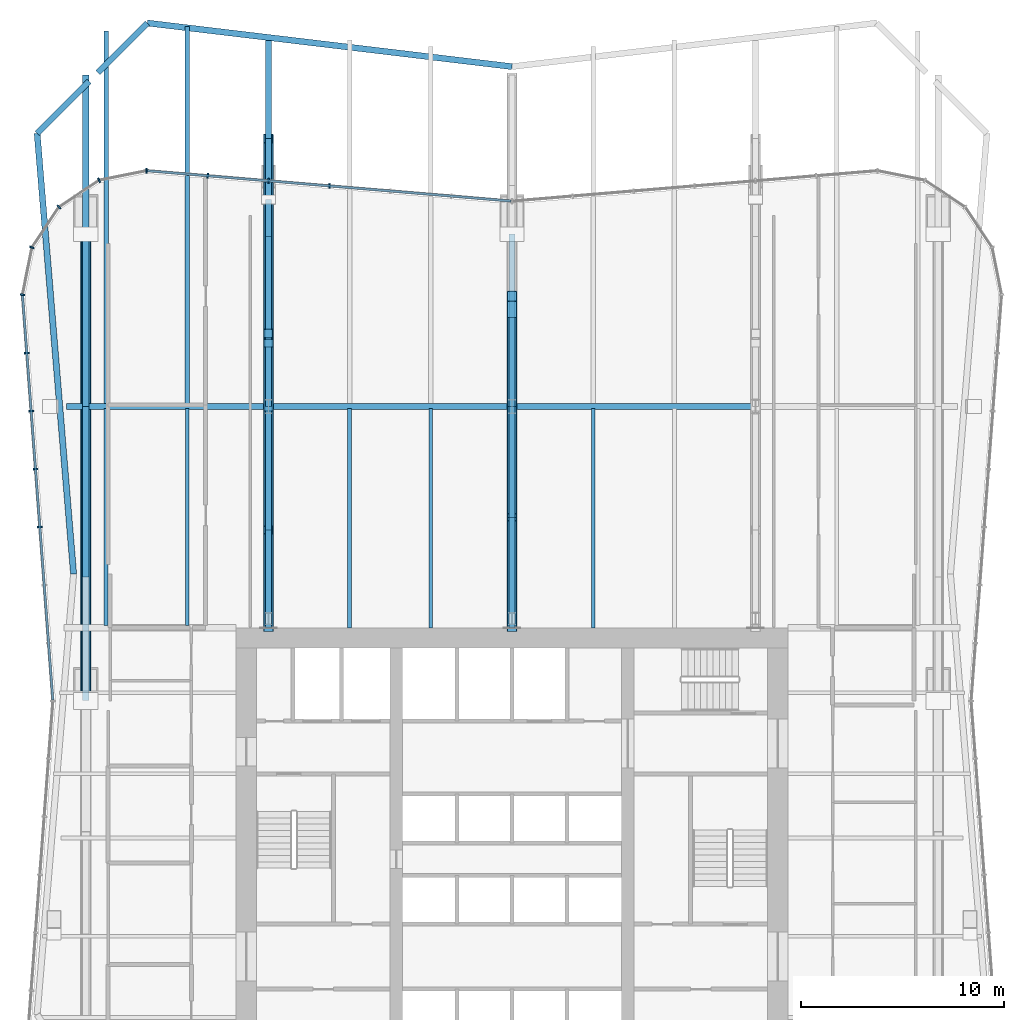
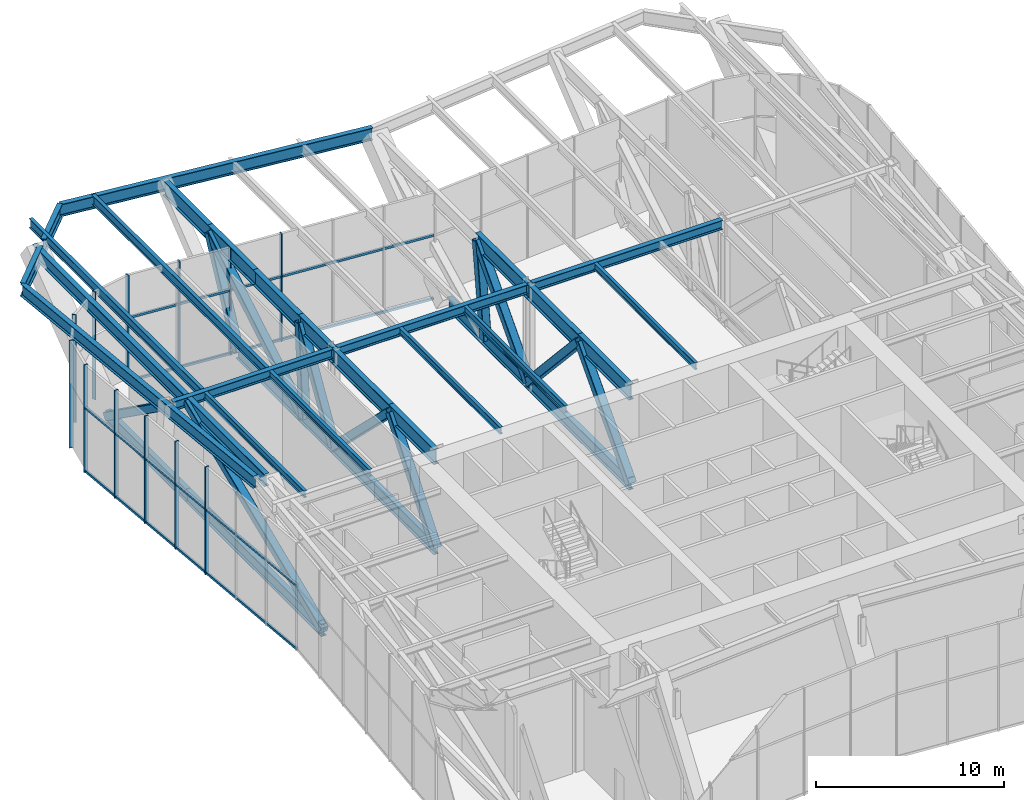
# One storey, part 6 of 16: 43 members, 14 beams, 3 elements without a shape of their own.
"""IFC4 building model written with IfcOpenShell, lengths in metres."""

from ifc_helpers import new_model, si_unit, direction, frame, origin, origin_2d, place, context, subcontext, project, spatial, rectangle, hollow_rectangle, i_section, extrude, material, material_profile, profile_set, type_object, element, aggregate, save


model = new_model("IFC4")

# Units and contexts
model_context = context("Model", 3, precision=1e-05, world=origin(), true_north=direction((0.0, 1.0)))
body_context = subcontext(model_context, "Body", "Model", "MODEL_VIEW")
ifc_project = project(units=[si_unit("LENGTHUNIT", "METRE"), si_unit("AREAUNIT", "SQUARE_METRE"), si_unit("VOLUMEUNIT", "CUBIC_METRE"), si_unit("PLANEANGLEUNIT", "RADIAN"), si_unit("MASSUNIT", "GRAM", prefix="KILO")], contexts=[model_context])

# Site, building, storey
site_placement = place(None, origin())
site = spatial("IfcSite", under=ifc_project, at=site_placement, CompositionType="ELEMENT")
building_placement = place(site_placement, origin())
building = spatial("IfcBuilding", under=site, at=building_placement, Name="Verdant Reach Tower", CompositionType="ELEMENT")
storey_placement = place(building_placement, frame((0.0, 0.0, 170.0)))
storey = spatial("IfcBuildingStorey", under=building, at=storey_placement, Name="L39 Plant", CompositionType="ELEMENT", Elevation=170.0)

# Curtain wall, members
ifc_material_1 = material(Name="Anodised aluminium", Category="aluminium")
curtain_wall_type = type_object("IfcCurtainWallType", Name="EN-CW SYSTEM PLANT", PredefinedType="NOTDEFINED", material=ifc_material_1)
curtain_wall_1_placement = place(storey_placement, origin())
curtain_wall_1 = element("IfcCurtainWall", 1, at=curtain_wall_1_placement, inside=storey, type_object=curtain_wall_type, Name="Curtain wall north, L39", PredefinedType="NOTDEFINED")
ifc_material_profile_1 = material_profile(ifc_material_1, rectangle(XDim=0.238037109375, YDim=0.080078125, at=origin_2d()), Name="Mullion 80x240")
ifc_profile_set_1 = profile_set([ifc_material_profile_1], Name="Anodised aluminium")
member_type_1 = type_object("IfcMemberType", Name="EN-MULLION PLANT", PredefinedType="MULLION", material=ifc_profile_set_1)
member_1_placement = place(storey_placement, frame((-8.990234375, 60.36865234375, -0.35009765625), z_axis=(0.0, 0.0, 1.0), x_axis=(0.083045479859, 0.996545758244, 0.0)))
member_1 = element("IfcMember", 2, at=member_1_placement, type_object=member_type_1, Name="Mullion north face part 2 4, L39", PredefinedType="MULLION", context=body_context, shape_type="SweptSolid", body=[
    extrude(rectangle(XDim=0.238037109375, YDim=0.080078125, at=origin_2d()), origin(), (0.0, 0.0, 1.0), 7.0),
])
member_2_placement = place(storey_placement, frame((-11.990234375, 60.61865234375, -0.35009765625), z_axis=(0.0, 0.0, 1.0), x_axis=(0.083045479859, 0.996545758244, 0.0)))
member_2 = element("IfcMember", 3, at=member_2_placement, type_object=member_type_1, Name="Mullion north face part 2 5, L39", PredefinedType="MULLION", context=body_context, shape_type="SweptSolid", body=[
    extrude(rectangle(XDim=0.238037109375, YDim=0.080078125, at=origin_2d()), origin(), (0.0, 0.0, 1.0), 7.0),
])
member_3_placement = place(storey_placement, frame((-14.990234375, 60.86865234375, -0.35009765625), z_axis=(0.0, 0.0, 1.0), x_axis=(0.083045479859, 0.996545758244, 0.0)))
member_3 = element("IfcMember", 4, at=member_3_placement, type_object=member_type_1, Name="Mullion north face part 2 6, L39", PredefinedType="MULLION", context=body_context, shape_type="SweptSolid", body=[
    extrude(rectangle(XDim=0.238037109375, YDim=0.080078125, at=origin_2d()), origin(), (0.0, 0.0, 1.0), 7.0),
])

curtain_wall_2_placement = place(storey_placement, origin())
curtain_wall_2 = element("IfcCurtainWall", 5, at=curtain_wall_2_placement, inside=storey, type_object=curtain_wall_type, Name="Curtain wall north-west corner, L39", PredefinedType="NOTDEFINED")
member_4_placement = place(storey_placement, frame((-18.0068359375, 61.118896484375, -0.35009765625), z_axis=(0.0, 0.0, 1.0), x_axis=(-0.056569187765, 0.998398681387, 0.0)))
member_4 = element("IfcMember", 6, at=member_4_placement, type_object=member_type_1, Name="Mullion north-west corner 1, L39", PredefinedType="MULLION", context=body_context, shape_type="SweptSolid", body=[
    extrude(rectangle(XDim=0.238037109375, YDim=0.080078125, at=origin_2d()), origin(), (0.0, 0.0, 1.0), 7.0),
])
member_5_placement = place(storey_placement, frame((-20.341552734375, 60.6533203125, -0.35009765625), z_axis=(0.0, 0.0, 1.0), x_axis=(-0.382693853776, 0.923875215753, 0.0)))
member_5 = element("IfcMember", 7, at=member_5_placement, type_object=member_type_1, Name="Mullion north-west corner 2, L39", PredefinedType="MULLION", context=body_context, shape_type="SweptSolid", body=[
    extrude(rectangle(XDim=0.238037109375, YDim=0.080078125, at=origin_2d()), origin(), (0.0, 0.0, 1.0), 7.0),
])
member_6_placement = place(storey_placement, frame((-22.32666015625, 59.32666015625, -0.35009765625), z_axis=(0.0, 0.0, 1.0), x_axis=(-0.707106781187, 0.707106781187, 0.0)))
member_6 = element("IfcMember", 8, at=member_6_placement, type_object=member_type_1, Name="Mullion north-west corner 3, L39", PredefinedType="MULLION", context=body_context, shape_type="SweptSolid", body=[
    extrude(rectangle(XDim=0.238037109375, YDim=0.080078125, at=origin_2d()), origin(), (0.0, 0.0, 1.0), 7.0),
])
member_7_placement = place(storey_placement, frame((-23.6533203125, 57.341552734375, -0.35009765625), z_axis=(0.0, 0.0, 1.0), x_axis=(-0.923875215753, 0.382693853776, 0.0)))
member_7 = element("IfcMember", 9, at=member_7_placement, type_object=member_type_1, Name="Mullion north-west corner 4, L39", PredefinedType="MULLION", context=body_context, shape_type="SweptSolid", body=[
    extrude(rectangle(XDim=0.238037109375, YDim=0.080078125, at=origin_2d()), origin(), (0.0, 0.0, 1.0), 7.0),
])
aggregate(curtain_wall_2, [member_4, member_5, member_6, member_7])

curtain_wall_3_placement = place(storey_placement, origin())
curtain_wall_3 = element("IfcCurtainWall", 10, at=curtain_wall_3_placement, inside=storey, type_object=curtain_wall_type, Name="Curtain wall west, L39", PredefinedType="NOTDEFINED")
member_8_placement = place(storey_placement, frame((-24.118896484375, 55.00732421875, -0.35009765625), z_axis=(0.0, 0.0, 1.0), x_axis=(-0.998155887542, 0.060702752526, 0.0)))
member_8 = element("IfcMember", 11, at=member_8_placement, type_object=member_type_1, Name="Mullion west face part 1 1, L39", PredefinedType="MULLION", context=body_context, shape_type="SweptSolid", body=[
    extrude(rectangle(XDim=0.238037109375, YDim=0.080078125, at=origin_2d()), origin(), (0.0, 0.0, 1.0), 7.0),
])
member_9_placement = place(storey_placement, frame((-23.904296875, 52.134033203125, -0.35009765625), z_axis=(0.0, 0.0, 1.0), x_axis=(-0.997199309888, -0.074789948245, 0.0)))
member_9 = element("IfcMember", 12, at=member_9_placement, type_object=member_type_1, Name="Mullion west face part 1 2, L39", PredefinedType="MULLION", context=body_context, shape_type="SweptSolid", body=[
    extrude(rectangle(XDim=0.238037109375, YDim=0.080078125, at=origin_2d()), origin(), (0.0, 0.0, 1.0), 7.0),
])
member_10_placement = place(storey_placement, frame((-23.690185546875, 49.27685546875, -0.35009765625), z_axis=(0.0, 0.0, 1.0), x_axis=(-0.997199309888, -0.074789948245, 0.0)))
member_10 = element("IfcMember", 13, at=member_10_placement, type_object=member_type_1, Name="Mullion west face part 1 3, L39", PredefinedType="MULLION", context=body_context, shape_type="SweptSolid", body=[
    extrude(rectangle(XDim=0.238037109375, YDim=0.080078125, at=origin_2d()), origin(), (0.0, 0.0, 1.0), 7.0),
])
member_11_placement = place(storey_placement, frame((-23.475830078125, 46.419677734375, -0.35009765625), z_axis=(0.0, 0.0, 1.0), x_axis=(-0.997199309888, -0.074789948245, 0.0)))
member_11 = element("IfcMember", 14, at=member_11_placement, type_object=member_type_1, Name="Mullion west face part 1 4, L39", PredefinedType="MULLION", context=body_context, shape_type="SweptSolid", body=[
    extrude(rectangle(XDim=0.238037109375, YDim=0.080078125, at=origin_2d()), origin(), (0.0, 0.0, 1.0), 7.0),
])
member_12_placement = place(storey_placement, frame((-23.261474609375, 43.5625, -0.35009765625), z_axis=(0.0, 0.0, 1.0), x_axis=(-0.997199309888, -0.074789948245, 0.0)))
member_12 = element("IfcMember", 15, at=member_12_placement, type_object=member_type_1, Name="Mullion west face part 1 5, L39", PredefinedType="MULLION", context=body_context, shape_type="SweptSolid", body=[
    extrude(rectangle(XDim=0.238037109375, YDim=0.080078125, at=origin_2d()), origin(), (0.0, 0.0, 1.0), 7.0),
])

# Member
ifc_material_profile_2 = material_profile(ifc_material_1, rectangle(XDim=0.1201171875, YDim=0.14990234375, at=origin_2d()), Name="Transom 150x120")
ifc_profile_set_2 = profile_set([ifc_material_profile_2], Name="Anodised aluminium")
member_type_2 = type_object("IfcMemberType", Name="EN-TRANSOM PLANT", PredefinedType="USERDEFINED", material=ifc_profile_set_2)
member_13_placement = place(storey_placement, frame((-0.039794921875, 59.622314453125, -0.27490234375), z_axis=(-0.996549220477, 0.083003922598, 0.0), x_axis=(-0.083003922598, -0.996549220477, 0.0)))
member_13 = element("IfcMember", 16, at=member_13_placement, type_object=member_type_2, Name="Transom north face part 2 1.1, L39", ObjectType="TRANSOM", PredefinedType="USERDEFINED", context=body_context, shape_type="SweptSolid", body=[
    extrude(rectangle(XDim=0.1201171875, YDim=0.14990234375, at=origin_2d()), origin(), (0.0, 0.0, 1.0), 17.989013671875),
])

member_14_placement = place(storey_placement, frame((-0.039794921875, 59.622314453125, 3.85009765625), z_axis=(-0.996549220477, 0.083003922598, 0.0), x_axis=(-0.083003922598, -0.996549220477, 0.0)))
member_14 = element("IfcMember", 17, at=member_14_placement, type_object=member_type_2, Name="Transom north face part 2 1.2, L39", ObjectType="TRANSOM", PredefinedType="USERDEFINED", context=body_context, shape_type="SweptSolid", body=[
    extrude(rectangle(XDim=0.1201171875, YDim=0.14990234375, at=origin_2d()), origin(), (0.0, 0.0, 1.0), 17.989013671875),
])

aggregate(curtain_wall_1, [member_1, member_2, member_3, member_13, member_14])

member_15_placement = place(storey_placement, frame((-24.11572265625, 54.96728515625, -0.27490234375), z_axis=(0.074744693734, -0.997202702944, 0.0), x_axis=(0.997202702944, 0.074744693734, 0.0)))
member_15 = element("IfcMember", 18, at=member_15_placement, type_object=member_type_2, Name="Transom west face part 1 1.1, L39", ObjectType="TRANSOM", PredefinedType="USERDEFINED", context=body_context, shape_type="SweptSolid", body=[
    extrude(rectangle(XDim=0.1201171875, YDim=0.14990234375, at=origin_2d()), origin(), (0.0, 0.0, 1.0), 19.9833984375),
])

member_16_placement = place(storey_placement, frame((-24.11572265625, 54.96728515625, 3.85009765625), z_axis=(0.074744693734, -0.997202702944, 0.0), x_axis=(0.997202702944, 0.074744693734, 0.0)))
member_16 = element("IfcMember", 19, at=member_16_placement, type_object=member_type_2, Name="Transom west face part 1 1.2, L39", ObjectType="TRANSOM", PredefinedType="USERDEFINED", context=body_context, shape_type="SweptSolid", body=[
    extrude(rectangle(XDim=0.1201171875, YDim=0.14990234375, at=origin_2d()), origin(), (0.0, 0.0, 1.0), 19.9833984375),
])

aggregate(curtain_wall_3, [member_8, member_9, member_10, member_11, member_12, member_15, member_16])

# Beams
ifc_material_2 = material(Name="Steel S355", Category="steel")
ifc_material_profile_3 = material_profile(ifc_material_2, i_section(OverallWidth=0.300048828125, OverallDepth=0.60009765625, WebThickness=0.015380859375, FlangeThickness=0.030029296875, FilletRadius=0.027099609375, at=origin_2d()), Name="HEB 600")
ifc_profile_set_3 = profile_set([ifc_material_profile_3], Name="Steel S355")
beam_type_1 = type_object("IfcBeamType", Name="ST-BEAM-HEB600", PredefinedType="BEAM", material=ifc_profile_set_3)
beam_1_placement = place(storey_placement, frame((-21.958984375, 49.5, 6.570068359375), z_axis=(1.0, 0.0, 0.0), x_axis=(0.0, 1.0, 0.0)))
element("IfcBeam", 20, at=beam_1_placement, inside=storey, type_object=beam_type_1, Name="Row girder, L39 Plant", PredefinedType="BEAM", context=body_context, shape_type="SweptSolid", body=[
    extrude(i_section(OverallWidth=0.300048828125, OverallDepth=0.60009765625, WebThickness=0.015380859375, FlangeThickness=0.030029296875, FilletRadius=0.027099609375, at=origin_2d()), origin(), (0.0, 0.0, 1.0), 9.804931640625),
])
for number, where, z_axis, x_axis, name in (
    (21, (-11.845947265625, 49.5, 6.570068359375), (1.0, 0.0, 0.0), (0.0, 1.0, 0.0), "Row girder, L39 Plant"),
    (22, (0.154052734375, 49.5, 6.570068359375), (1.0, 0.0, 0.0), (0.0, 1.0, 0.0), "Row girder, L39 Plant"),
):
    element("IfcBeam", number, at=place(storey_placement, frame(where, z_axis=z_axis, x_axis=x_axis)), inside=storey, type_object=beam_type_1, Name=name, PredefinedType="BEAM", context=body_context, shape_type="SweptSolid", body=[
        extrude(i_section(OverallWidth=0.300048828125, OverallDepth=0.60009765625, WebThickness=0.015380859375, FlangeThickness=0.030029296875, FilletRadius=0.027099609375, at=origin_2d()), origin(), (0.0, 0.0, 1.0), 11.69189453125),
    ])
ifc_material_profile_4 = material_profile(ifc_material_2, i_section(OverallWidth=0.18994140625, OverallDepth=0.449951171875, WebThickness=0.009521484375, FlangeThickness=0.0146484375, FilletRadius=0.02099609375, at=origin_2d()), Name="IPE 450")
ifc_profile_set_4 = profile_set([ifc_material_profile_4], Name="Steel S355")
beam_type_2 = type_object("IfcBeamType", Name="ST-JOIST-IPE450", PredefinedType="JOIST", material=ifc_profile_set_4)
for number, where, z_axis, x_axis, name in (
    (23, (-20.0, 38.699951171875, 6.64501953125), (0.0, 1.0, 0.0), (-1.0, 0.0, 0.0), "Floor joist, L39 Plant"),
    (24, (-16.0, 38.699951171875, 6.64501953125), (0.0, 1.0, 0.0), (-1.0, 0.0, 0.0), "Floor joist, L39 Plant"),
):
    element("IfcBeam", number, at=place(storey_placement, frame(where, z_axis=z_axis, x_axis=x_axis)), inside=storey, type_object=beam_type_2, Name=name, PredefinedType="JOIST", context=body_context, shape_type="SweptSolid", body=[
        extrude(i_section(OverallWidth=0.18994140625, OverallDepth=0.449951171875, WebThickness=0.009521484375, FlangeThickness=0.0146484375, FilletRadius=0.02099609375, at=origin_2d()), origin(), (0.0, 0.0, 1.0), 10.699951171875),
    ])
for number, where, z_axis, x_axis, name in (
    (25, (-8.0, 38.60009765625, 6.64501953125), (0.0, 1.0, 0.0), (-1.0, 0.0, 0.0), "Floor joist, L39 Plant"),
    (26, (-4.0, 38.60009765625, 6.64501953125), (0.0, 1.0, 0.0), (-1.0, 0.0, 0.0), "Floor joist, L39 Plant"),
    (27, (4.0, 38.60009765625, 6.64501953125), (0.0, 1.0, 0.0), (-1.0, 0.0, 0.0), "Floor joist, L39 Plant"),
):
    element("IfcBeam", number, at=place(storey_placement, frame(where, z_axis=z_axis, x_axis=x_axis)), inside=storey, type_object=beam_type_2, Name=name, PredefinedType="JOIST", context=body_context, shape_type="SweptSolid", body=[
        extrude(i_section(OverallWidth=0.18994140625, OverallDepth=0.449951171875, WebThickness=0.009521484375, FlangeThickness=0.0146484375, FilletRadius=0.02099609375, at=origin_2d()), origin(), (0.0, 0.0, 1.0), 10.7998046875),
    ])
ifc_material_profile_5 = material_profile(ifc_material_2, i_section(OverallWidth=0.219970703125, OverallDepth=0.60009765625, WebThickness=0.011962890625, FlangeThickness=0.01904296875, FilletRadius=0.02392578125, at=origin_2d()), Name="IPE 600")
ifc_profile_set_5 = profile_set([ifc_material_profile_5], Name="Steel S355")
beam_type_3 = type_object("IfcBeamType", Name="ST-JOIST-IPE600", PredefinedType="JOIST", material=ifc_profile_set_5)
beam_2_placement = place(storey_placement, frame((-20.0, 49.60009765625, 6.570068359375), z_axis=(0.0, 1.0, 0.0), x_axis=(-1.0, 0.0, 0.0)))
element("IfcBeam", 28, at=beam_2_placement, inside=storey, type_object=beam_type_3, Name="Floor joist, L39 Plant", PredefinedType="JOIST", context=body_context, shape_type="SweptSolid", body=[
    extrude(i_section(OverallWidth=0.219970703125, OverallDepth=0.60009765625, WebThickness=0.011962890625, FlangeThickness=0.01904296875, FilletRadius=0.02392578125, at=origin_2d()), origin(), (0.0, 0.0, 1.0), 18.390380859375),
])
beam_3_placement = place(storey_placement, frame((-16.0, 49.60009765625, 6.570068359375), z_axis=(0.0, 1.0, 0.0), x_axis=(-1.0, 0.0, 0.0)))
element("IfcBeam", 29, at=beam_3_placement, inside=storey, type_object=beam_type_3, Name="Floor joist, L39 Plant", PredefinedType="JOIST", context=body_context, shape_type="SweptSolid", body=[
    extrude(i_section(OverallWidth=0.219970703125, OverallDepth=0.60009765625, WebThickness=0.011962890625, FlangeThickness=0.01904296875, FilletRadius=0.02392578125, at=origin_2d()), origin(), (0.0, 0.0, 1.0), 18.631103515625),
])
ifc_material_profile_6 = material_profile(ifc_material_2, i_section(OverallWidth=0.300048828125, OverallDepth=0.800048828125, WebThickness=0.017578125, FlangeThickness=0.032958984375, FilletRadius=0.030029296875, at=origin_2d()), Name="HEB 800")
ifc_profile_set_6 = profile_set([ifc_material_profile_6], Name="Steel S355")
beam_type_4 = type_object("IfcBeamType", Name="ST-SPANDREL-HEB800", PredefinedType="SPANDREL", material=ifc_profile_set_6)
beam_4_placement = place(storey_placement, frame((-21.60009765625, 41.25, 6.469970703125), z_axis=(-0.082435210935, 0.99659642584, 0.0), x_axis=(-0.99659642584, -0.082435210935, 0.0)))
element("IfcBeam", 30, at=beam_4_placement, inside=storey, type_object=beam_type_4, Name="Edge beam, L39 Plant", PredefinedType="SPANDREL", context=body_context, shape_type="SweptSolid", body=[
    extrude(i_section(OverallWidth=0.300048828125, OverallDepth=0.800048828125, WebThickness=0.017578125, FlangeThickness=0.032958984375, FilletRadius=0.030029296875, at=origin_2d()), origin(), (0.0, 0.0, 1.0), 21.78564453125),
])
beam_5_placement = place(storey_placement, frame((-17.9658203125, 68.39501953125, 6.469970703125), z_axis=(0.992923943618, -0.118752019729, 0.0), x_axis=(0.118752019729, 0.992923943618, 0.0)))
element("IfcBeam", 31, at=beam_5_placement, inside=storey, type_object=beam_type_4, Name="Edge beam, L39 Plant", PredefinedType="SPANDREL", context=body_context, shape_type="SweptSolid", body=[
    extrude(i_section(OverallWidth=0.300048828125, OverallDepth=0.800048828125, WebThickness=0.017578125, FlangeThickness=0.032958984375, FilletRadius=0.030029296875, at=origin_2d()), origin(), (0.0, 0.0, 1.0), 18.09375),
])
ifc_material_profile_7 = material_profile(ifc_material_2, i_section(OverallWidth=0.302001953125, OverallDepth=0.909912109375, WebThickness=0.02099609375, FlangeThickness=0.0400390625, FilletRadius=0.030029296875, at=origin_2d()), Name="HEM 900")
ifc_profile_set_7 = profile_set([ifc_material_profile_7], Name="Steel S355")
beam_type_5 = type_object("IfcBeamType", Name="ST-SPANDREL-HEM900", PredefinedType="SPANDREL", material=ifc_profile_set_7)
beam_6_placement = place(storey_placement, frame((-23.39599609375, 62.96142578125, 6.4150390625), z_axis=(0.706904702576, 0.707308802063, 0.0), x_axis=(-0.707308802063, 0.706904702576, 0.0)))
element("IfcBeam", 32, at=beam_6_placement, inside=storey, type_object=beam_type_5, Name="Edge beam, L39 Plant", PredefinedType="SPANDREL", context=body_context, shape_type="SweptSolid", body=[
    extrude(i_section(OverallWidth=0.302001953125, OverallDepth=0.909912109375, WebThickness=0.02099609375, FlangeThickness=0.0400390625, FilletRadius=0.030029296875, at=origin_2d()), origin(), (0.0, 0.0, 1.0), 3.625),
])
beam_7_placement = place(storey_placement, frame((-20.39990234375, 65.959228515625, 6.4150390625), z_axis=(0.706858592704, 0.707354882588, 0.0), x_axis=(-0.707354882588, 0.706858592704, 0.0)))
element("IfcBeam", 33, at=beam_7_placement, inside=storey, type_object=beam_type_5, Name="Edge beam, L39 Plant", PredefinedType="SPANDREL", context=body_context, shape_type="SweptSolid", body=[
    extrude(i_section(OverallWidth=0.302001953125, OverallDepth=0.909912109375, WebThickness=0.02099609375, FlangeThickness=0.0400390625, FilletRadius=0.030029296875, at=origin_2d()), origin(), (0.0, 0.0, 1.0), 3.443603515625),
])

# Members
ifc_material_3 = material(Name="Steel S460", Category="steel")
ifc_material_profile_8 = material_profile(ifc_material_3, hollow_rectangle(XDim=0.5, YDim=0.5, WallThickness=0.02490234375, InnerFilletRadius=0.02490234375, OuterFilletRadius=0.050048828125, at=origin_2d()), Name="RHS 500x500x25")
ifc_profile_set_8 = profile_set([ifc_material_profile_8], Name="Steel S460")
member_type_3 = type_object("IfcMemberType", Name="ST-TRUSS-BRACE-RHS500x500x25", PredefinedType="BRACE", material=ifc_profile_set_8)
member_17_placement = place(storey_placement, frame((-12.0, 38.60009765625, 0.406982421875), z_axis=(0.0, 0.628912291492, 0.777476256622), x_axis=(-1.0, 0.0, 0.0)))
element("IfcMember", 34, at=member_17_placement, inside=storey, type_object=member_type_3, Name="Outrigger truss C north, diagonal, L39 Plant", PredefinedType="BRACE", context=body_context, shape_type="SweptSolid", body=[
    extrude(hollow_rectangle(XDim=0.5, YDim=0.5, WallThickness=0.02490234375, InnerFilletRadius=0.02490234375, OuterFilletRadius=0.050048828125, at=origin_2d()), origin(), (0.0, 0.0, 1.0), 7.66455078125),
])
member_18_placement = place(storey_placement, frame((-12.0, 43.42041015625, 6.365966796875), z_axis=(0.0, 0.714154917711, -0.699987680969), x_axis=(-1.0, 0.0, 0.0)))
element("IfcMember", 35, at=member_18_placement, inside=storey, type_object=member_type_3, Name="Outrigger truss C north, diagonal, L39 Plant", PredefinedType="BRACE", context=body_context, shape_type="SweptSolid", body=[
    extrude(hollow_rectangle(XDim=0.5, YDim=0.5, WallThickness=0.02490234375, InnerFilletRadius=0.02490234375, OuterFilletRadius=0.050048828125, at=origin_2d()), origin(), (0.0, 0.0, 1.0), 8.512939453125),
])
member_19_placement = place(storey_placement, frame((-12.0, 49.5, 0.406982421875), z_axis=(0.0, 0.513026232541, 0.8583729287), x_axis=(-1.0, 0.0, 0.0)))
element("IfcMember", 36, at=member_19_placement, inside=storey, type_object=member_type_3, Name="Outrigger truss C north, diagonal, L39 Plant", PredefinedType="BRACE", context=body_context, shape_type="SweptSolid", body=[
    extrude(hollow_rectangle(XDim=0.5, YDim=0.5, WallThickness=0.02490234375, InnerFilletRadius=0.02490234375, OuterFilletRadius=0.050048828125, at=origin_2d()), origin(), (0.0, 0.0, 1.0), 6.942138671875),
])
member_20_placement = place(storey_placement, frame((-12.0, 53.0615234375, 6.365966796875), z_axis=(0.0, -0.065126927319, -0.997876988079), x_axis=(1.0, 0.0, 0.0)))
element("IfcMember", 37, at=member_20_placement, inside=storey, type_object=member_type_3, Name="Outrigger truss C north, diagonal, L39 Plant", PredefinedType="BRACE", context=body_context, shape_type="SweptSolid", body=[
    extrude(hollow_rectangle(XDim=0.5, YDim=0.5, WallThickness=0.02490234375, InnerFilletRadius=0.02490234375, OuterFilletRadius=0.050048828125, at=origin_2d()), origin(), (0.0, 0.0, 1.0), 5.9716796875),
])
member_21_placement = place(storey_placement, frame((-12.0, 52.672607421875, 0.406982421875), z_axis=(0.0, 0.859717203118, 0.510770330641), x_axis=(-1.0, 0.0, 0.0)))
element("IfcMember", 38, at=member_21_placement, inside=storey, type_object=member_type_3, Name="Outrigger truss C north, diagonal, L39 Plant", PredefinedType="BRACE", context=body_context, shape_type="SweptSolid", body=[
    extrude(hollow_rectangle(XDim=0.5, YDim=0.5, WallThickness=0.02490234375, InnerFilletRadius=0.02490234375, OuterFilletRadius=0.050048828125, at=origin_2d()), origin(), (0.0, 0.0, 1.0), 11.666748046875),
])
member_22_placement = place(storey_placement, frame((-12.0, 62.70263671875, 6.365966796875), z_axis=(0.0, -0.44891149171, -0.893576226525), x_axis=(1.0, 0.0, 0.0)))
element("IfcMember", 39, at=member_22_placement, inside=storey, type_object=member_type_3, Name="Outrigger truss C north, diagonal, L39 Plant", PredefinedType="BRACE", context=body_context, shape_type="SweptSolid", body=[
    extrude(hollow_rectangle(XDim=0.5, YDim=0.5, WallThickness=0.02490234375, InnerFilletRadius=0.02490234375, OuterFilletRadius=0.050048828125, at=origin_2d()), origin(), (0.0, 0.0, 1.0), 6.668701171875),
])
member_23_placement = place(storey_placement, frame((0.0, 38.60009765625, 0.406982421875), z_axis=(0.0, 0.674523923408, 0.738252989666), x_axis=(-1.0, 0.0, 0.0)))
element("IfcMember", 40, at=member_23_placement, inside=storey, type_object=member_type_3, Name="Outrigger truss D north, diagonal, L39 Plant", PredefinedType="BRACE", context=body_context, shape_type="SweptSolid", body=[
    extrude(hollow_rectangle(XDim=0.5, YDim=0.5, WallThickness=0.02490234375, InnerFilletRadius=0.02490234375, OuterFilletRadius=0.050048828125, at=origin_2d()), origin(), (0.0, 0.0, 1.0), 8.07177734375),
])
member_24_placement = place(storey_placement, frame((0.0, 44.044677734375, 6.365966796875), z_axis=(0.0, 0.67524827836, -0.737590511444), x_axis=(-1.0, 0.0, 0.0)))
element("IfcMember", 41, at=member_24_placement, inside=storey, type_object=member_type_3, Name="Outrigger truss D north, diagonal, L39 Plant", PredefinedType="BRACE", context=body_context, shape_type="SweptSolid", body=[
    extrude(hollow_rectangle(XDim=0.5, YDim=0.5, WallThickness=0.02490234375, InnerFilletRadius=0.02490234375, OuterFilletRadius=0.050048828125, at=origin_2d()), origin(), (0.0, 0.0, 1.0), 8.0791015625),
])
member_25_placement = place(storey_placement, frame((0.0, 49.5, 0.406982421875), z_axis=(0.0, 0.673797615104, 0.738915945071), x_axis=(-1.0, 0.0, 0.0)))
element("IfcMember", 42, at=member_25_placement, inside=storey, type_object=member_type_3, Name="Outrigger truss D north, diagonal, L39 Plant", PredefinedType="BRACE", context=body_context, shape_type="SweptSolid", body=[
    extrude(hollow_rectangle(XDim=0.5, YDim=0.5, WallThickness=0.02490234375, InnerFilletRadius=0.02490234375, OuterFilletRadius=0.050048828125, at=origin_2d()), origin(), (0.0, 0.0, 1.0), 8.064453125),
])
member_26_placement = place(storey_placement, frame((0.0, 54.933837890625, 6.365966796875), z_axis=(0.0, -0.134142036588, -0.99096211533), x_axis=(1.0, 0.0, 0.0)))
element("IfcMember", 43, at=member_26_placement, inside=storey, type_object=member_type_3, Name="Outrigger truss D north, diagonal, L39 Plant", PredefinedType="BRACE", context=body_context, shape_type="SweptSolid", body=[
    extrude(hollow_rectangle(XDim=0.5, YDim=0.5, WallThickness=0.02490234375, InnerFilletRadius=0.02490234375, OuterFilletRadius=0.050048828125, at=origin_2d()), origin(), (0.0, 0.0, 1.0), 6.013427734375),
])
member_27_placement = place(storey_placement, frame((-21.0, 35.007080078125, 0.406982421875), z_axis=(0.0, 0.922687873286, 0.385547777182), x_axis=(-1.0, 0.0, 0.0)))
element("IfcMember", 44, at=member_27_placement, inside=storey, type_object=member_type_3, Name="Transfer truss B west, diagonal, L39 Plant", PredefinedType="BRACE", context=body_context, shape_type="SweptSolid", body=[
    extrude(hollow_rectangle(XDim=0.5, YDim=0.5, WallThickness=0.02490234375, InnerFilletRadius=0.02490234375, OuterFilletRadius=0.050048828125, at=origin_2d()), origin(), (0.0, 0.0, 1.0), 15.707275390625),
])
member_28_placement = place(storey_placement, frame((-21.0, 49.5, 6.462890625), z_axis=(0.0, 0.814727342615, -0.579844252534), x_axis=(-1.0, 0.0, 0.0)))
element("IfcMember", 45, at=member_28_placement, inside=storey, type_object=member_type_3, Name="Transfer truss B west, diagonal, L39 Plant", PredefinedType="BRACE", context=body_context, shape_type="SweptSolid", body=[
    extrude(hollow_rectangle(XDim=0.5, YDim=0.5, WallThickness=0.02490234375, InnerFilletRadius=0.02490234375, OuterFilletRadius=0.050048828125, at=origin_2d()), origin(), (0.0, 0.0, 1.0), 10.444091796875),
])
ifc_material_profile_9 = material_profile(ifc_material_3, i_section(OverallWidth=0.302001953125, OverallDepth=1.008056640625, WebThickness=0.02099609375, FlangeThickness=0.0400390625, FilletRadius=0.030029296875, at=origin_2d()), Name="HEM 1000")
ifc_profile_set_9 = profile_set([ifc_material_profile_9], Name="Steel S460")
member_type_4 = type_object("IfcMemberType", Name="ST-TRUSS-CHORD-HEM1000", PredefinedType="CHORD", material=ifc_profile_set_9)
member_29_placement = place(storey_placement, frame((-12.0, 38.60009765625, 6.365966796875), z_axis=(0.0, 1.0, 0.0), x_axis=(-1.0, 0.0, 0.0)))
element("IfcMember", 46, at=member_29_placement, inside=storey, type_object=member_type_4, Name="Outrigger truss C north, top chord, L39 Plant", PredefinedType="CHORD", context=body_context, shape_type="SweptSolid", body=[
    extrude(i_section(OverallWidth=0.302001953125, OverallDepth=1.008056640625, WebThickness=0.02099609375, FlangeThickness=0.0400390625, FilletRadius=0.030029296875, at=origin_2d()), origin(), (0.0, 0.0, 1.0), 4.8203125),
])
member_30_placement = place(storey_placement, frame((-12.0, 43.42041015625, 6.365966796875), z_axis=(0.0, 1.0, 0.0), x_axis=(-1.0, 0.0, 0.0)))
element("IfcMember", 47, at=member_30_placement, inside=storey, type_object=member_type_4, Name="Outrigger truss C north, top chord, L39 Plant", PredefinedType="CHORD", context=body_context, shape_type="SweptSolid", body=[
    extrude(i_section(OverallWidth=0.302001953125, OverallDepth=1.008056640625, WebThickness=0.02099609375, FlangeThickness=0.0400390625, FilletRadius=0.030029296875, at=origin_2d()), origin(), (0.0, 0.0, 1.0), 6.07958984375),
])
member_31_placement = place(storey_placement, frame((-12.0, 49.5, 6.365966796875), z_axis=(0.0, 1.0, 0.0), x_axis=(-1.0, 0.0, 0.0)))
element("IfcMember", 48, at=member_31_placement, inside=storey, type_object=member_type_4, Name="Outrigger truss C north, top chord, L39 Plant", PredefinedType="CHORD", context=body_context, shape_type="SweptSolid", body=[
    extrude(i_section(OverallWidth=0.302001953125, OverallDepth=1.008056640625, WebThickness=0.02099609375, FlangeThickness=0.0400390625, FilletRadius=0.030029296875, at=origin_2d()), origin(), (0.0, 0.0, 1.0), 3.5615234375),
])
for number, where, z_axis, x_axis, name in (
    (49, (-12.0, 53.0615234375, 6.365966796875), (0.0, 1.0, 0.0), (-1.0, 0.0, 0.0), "Outrigger truss C north, top chord, L39 Plant"),
    (50, (-12.0, 57.882080078125, 6.365966796875), (0.0, 1.0, 0.0), (-1.0, 0.0, 0.0), "Outrigger truss C north, top chord, L39 Plant"),
    (51, (-12.0, 62.70263671875, 6.365966796875), (0.0, 1.0, 0.0), (-1.0, 0.0, 0.0), "Outrigger truss C north, top chord, L39 Plant"),
):
    element("IfcMember", number, at=place(storey_placement, frame(where, z_axis=z_axis, x_axis=x_axis)), inside=storey, type_object=member_type_4, Name=name, PredefinedType="CHORD", context=body_context, shape_type="SweptSolid", body=[
        extrude(i_section(OverallWidth=0.302001953125, OverallDepth=1.008056640625, WebThickness=0.02099609375, FlangeThickness=0.0400390625, FilletRadius=0.030029296875, at=origin_2d()), origin(), (0.0, 0.0, 1.0), 4.820556640625),
    ])
member_32_placement = place(storey_placement, frame((0.0, 38.60009765625, 6.365966796875), z_axis=(0.0, 1.0, 0.0), x_axis=(-1.0, 0.0, 0.0)))
element("IfcMember", 52, at=member_32_placement, inside=storey, type_object=member_type_4, Name="Outrigger truss D north, top chord, L39 Plant", PredefinedType="CHORD", context=body_context, shape_type="SweptSolid", body=[
    extrude(i_section(OverallWidth=0.302001953125, OverallDepth=1.008056640625, WebThickness=0.02099609375, FlangeThickness=0.0400390625, FilletRadius=0.030029296875, at=origin_2d()), origin(), (0.0, 0.0, 1.0), 5.444580078125),
])
member_33_placement = place(storey_placement, frame((0.0, 44.044677734375, 6.365966796875), z_axis=(0.0, 1.0, 0.0), x_axis=(-1.0, 0.0, 0.0)))
element("IfcMember", 53, at=member_33_placement, inside=storey, type_object=member_type_4, Name="Outrigger truss D north, top chord, L39 Plant", PredefinedType="CHORD", context=body_context, shape_type="SweptSolid", body=[
    extrude(i_section(OverallWidth=0.302001953125, OverallDepth=1.008056640625, WebThickness=0.02099609375, FlangeThickness=0.0400390625, FilletRadius=0.030029296875, at=origin_2d()), origin(), (0.0, 0.0, 1.0), 5.455322265625),
])
member_34_placement = place(storey_placement, frame((0.0, 49.5, 6.365966796875), z_axis=(0.0, 1.0, 0.0), x_axis=(-1.0, 0.0, 0.0)))
element("IfcMember", 54, at=member_34_placement, inside=storey, type_object=member_type_4, Name="Outrigger truss D north, top chord, L39 Plant", PredefinedType="CHORD", context=body_context, shape_type="SweptSolid", body=[
    extrude(i_section(OverallWidth=0.302001953125, OverallDepth=1.008056640625, WebThickness=0.02099609375, FlangeThickness=0.0400390625, FilletRadius=0.030029296875, at=origin_2d()), origin(), (0.0, 0.0, 1.0), 5.433837890625),
])
ifc_material_profile_10 = material_profile(ifc_material_3, i_section(OverallWidth=0.302978515625, OverallDepth=0.81396484375, WebThickness=0.02099609375, FlangeThickness=0.0400390625, FilletRadius=0.030029296875, at=origin_2d()), Name="HEM 800")
ifc_profile_set_10 = profile_set([ifc_material_profile_10], Name="Steel S460")
member_type_5 = type_object("IfcMemberType", Name="ST-TRUSS-CHORD-HEM800", PredefinedType="CHORD", material=ifc_profile_set_10)
member_35_placement = place(storey_placement, frame((-12.0, 38.60009765625, 0.406982421875), z_axis=(0.0, 1.0, 0.0), x_axis=(-1.0, 0.0, 0.0)))
element("IfcMember", 55, at=member_35_placement, inside=storey, type_object=member_type_5, Name="Outrigger truss C north, bottom chord, L39 Plant", PredefinedType="CHORD", context=body_context, shape_type="SweptSolid", body=[
    extrude(i_section(OverallWidth=0.302978515625, OverallDepth=0.81396484375, WebThickness=0.02099609375, FlangeThickness=0.0400390625, FilletRadius=0.030029296875, at=origin_2d()), origin(), (0.0, 0.0, 1.0), 21.10888671875),
])
member_36_placement = place(storey_placement, frame((0.0, 38.60009765625, 0.406982421875), z_axis=(0.0, 1.0, 0.0), x_axis=(-1.0, 0.0, 0.0)))
element("IfcMember", 56, at=member_36_placement, inside=storey, type_object=member_type_5, Name="Outrigger truss D north, bottom chord, L39 Plant", PredefinedType="CHORD", context=body_context, shape_type="SweptSolid", body=[
    extrude(i_section(OverallWidth=0.302978515625, OverallDepth=0.81396484375, WebThickness=0.02099609375, FlangeThickness=0.0400390625, FilletRadius=0.030029296875, at=origin_2d()), origin(), (0.0, 0.0, 1.0), 19.408935546875),
])
member_37_placement = place(storey_placement, frame((-21.0, 41.11181640625, 6.462890625), z_axis=(0.0, 1.0, 0.0), x_axis=(-1.0, 0.0, 0.0)))
element("IfcMember", 57, at=member_37_placement, inside=storey, type_object=member_type_5, Name="Transfer truss B west, top chord, L39 Plant", PredefinedType="CHORD", context=body_context, shape_type="SweptSolid", body=[
    extrude(i_section(OverallWidth=0.302978515625, OverallDepth=0.81396484375, WebThickness=0.02099609375, FlangeThickness=0.0400390625, FilletRadius=0.030029296875, at=origin_2d()), origin(), (0.0, 0.0, 1.0), 8.38818359375),
])
member_38_placement = place(storey_placement, frame((-21.0, 35.007080078125, 0.406982421875), z_axis=(0.0, 1.0, 0.0), x_axis=(-1.0, 0.0, 0.0)))
element("IfcMember", 58, at=member_38_placement, inside=storey, type_object=member_type_5, Name="Transfer truss B west, bottom chord, L39 Plant", PredefinedType="CHORD", context=body_context, shape_type="SweptSolid", body=[
    extrude(i_section(OverallWidth=0.302978515625, OverallDepth=0.81396484375, WebThickness=0.02099609375, FlangeThickness=0.0400390625, FilletRadius=0.030029296875, at=origin_2d()), origin(), (0.0, 0.0, 1.0), 14.492919921875),
])
member_39_placement = place(storey_placement, frame((-21.0, 49.5, 6.462890625), z_axis=(0.0, 1.0, 0.0), x_axis=(-1.0, 0.0, 0.0)))
element("IfcMember", 59, at=member_39_placement, inside=storey, type_object=member_type_5, Name="Transfer truss B west, top chord, L39 Plant", PredefinedType="CHORD", context=body_context, shape_type="SweptSolid", body=[
    extrude(i_section(OverallWidth=0.302978515625, OverallDepth=0.81396484375, WebThickness=0.02099609375, FlangeThickness=0.0400390625, FilletRadius=0.030029296875, at=origin_2d()), origin(), (0.0, 0.0, 1.0), 16.3232421875),
])
member_40_placement = place(storey_placement, frame((-21.0, 49.5, 0.406982421875), z_axis=(0.0, 1.0, 0.0), x_axis=(-1.0, 0.0, 0.0)))
element("IfcMember", 60, at=member_40_placement, inside=storey, type_object=member_type_5, Name="Transfer truss B west, bottom chord, L39 Plant", PredefinedType="CHORD", context=body_context, shape_type="SweptSolid", body=[
    extrude(i_section(OverallWidth=0.302978515625, OverallDepth=0.81396484375, WebThickness=0.02099609375, FlangeThickness=0.0400390625, FilletRadius=0.030029296875, at=origin_2d()), origin(), (0.0, 0.0, 1.0), 8.509033203125),
])

save(model, "model.ifc")
